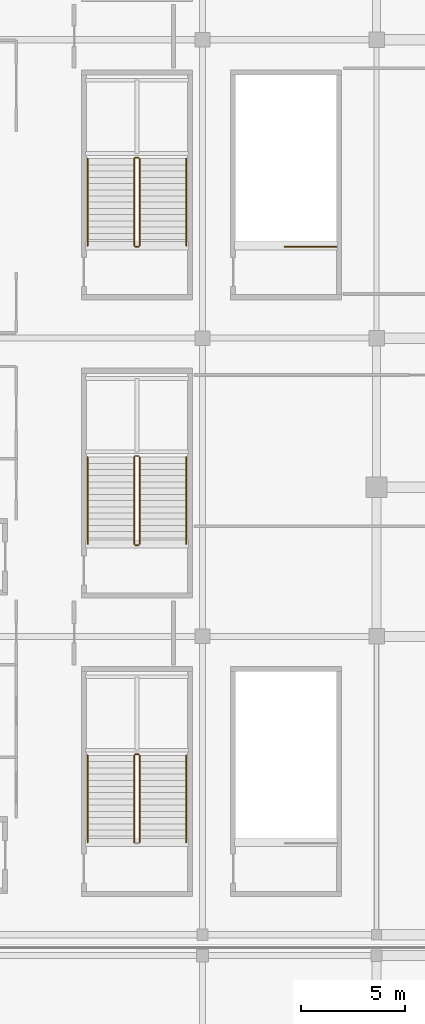
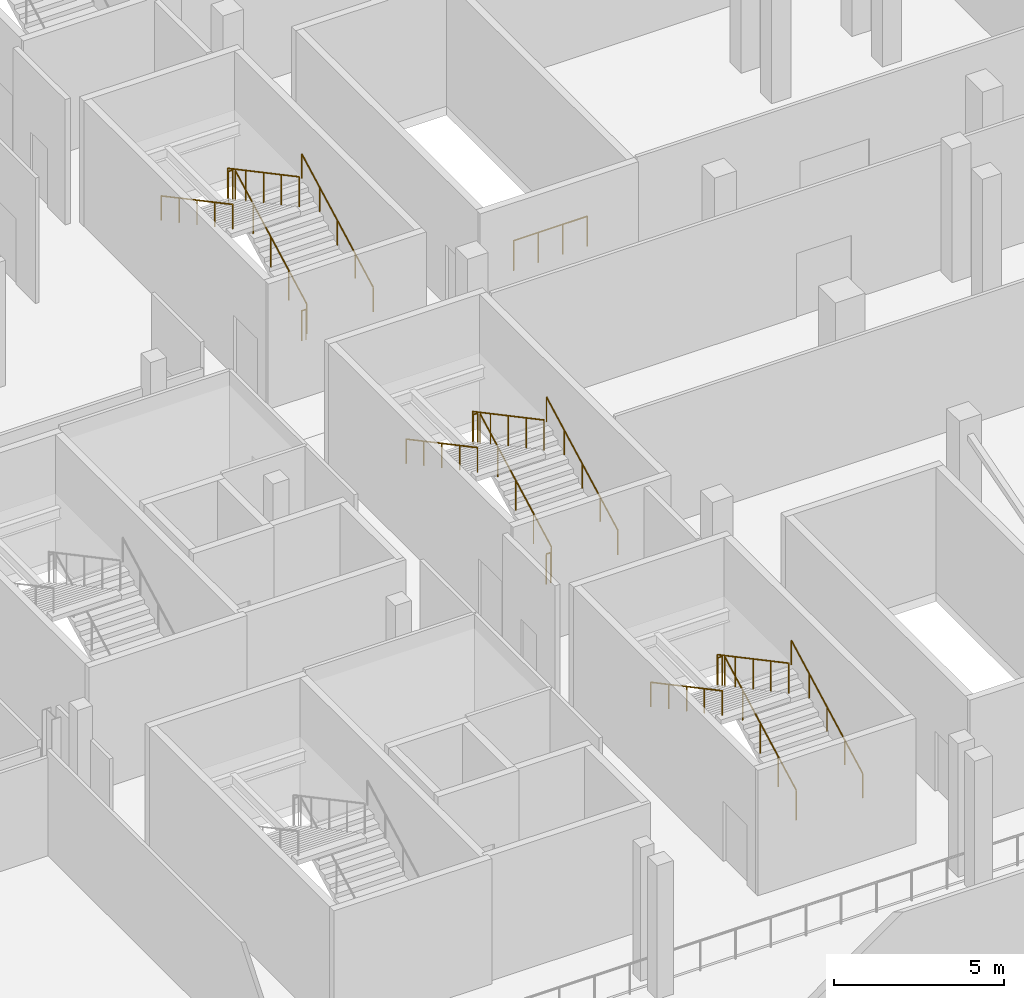
# One storey, part 99 of 129: 18 railings.
"""IFC4 building model written with IfcOpenShell, lengths in metres."""

from ifc_helpers import new_model, si_unit, direction, frame, origin, origin_2d, place, context, subcontext, project, spatial, circle, extrude, material, type_object, element, save


model = new_model("IFC4")

# Units and contexts
model_context = context("Model", 3, precision=1e-05, world=origin(), true_north=direction((0.0, 1.0)))
body_context = subcontext(model_context, "Body", "Model", "MODEL_VIEW")
ifc_project = project(units=[si_unit("LENGTHUNIT", "METRE"), si_unit("AREAUNIT", "SQUARE_METRE"), si_unit("VOLUMEUNIT", "CUBIC_METRE"), si_unit("PLANEANGLEUNIT", "RADIAN"), si_unit("MASSUNIT", "GRAM", prefix="KILO")], contexts=[model_context])

# Site, building, storey
site_placement = place(None, origin())
site = spatial("IfcSite", under=ifc_project, at=site_placement, CompositionType="ELEMENT")
building_placement = place(site_placement, origin())
building = spatial("IfcBuilding", under=site, at=building_placement, Name="Koshinbarg Plaza Stadium", CompositionType="ELEMENT")
storey_placement = place(building_placement, frame((0.0, 0.0, 5.39990234375)))
storey = spatial("IfcBuildingStorey", under=building, at=storey_placement, Name="L01", CompositionType="ELEMENT", Elevation=5.39990234375)

# Railings
ifc_material_1 = material(Name="Galvanized painted steel guardrail", Category="steel")
railing_type_1 = type_object("IfcRailingType", Name="RL-GUARD-1100", PredefinedType="GUARDRAIL", material=ifc_material_1)
railing_1_placement = place(storey_placement, frame((43.159912109375, 29.9599609375, 0.16015625)))
element("IfcRailing", 1, at=railing_1_placement, inside=storey, type_object=railing_type_1, Name="L01 VX01 stair guard 1", PredefinedType="GUARDRAIL", context=body_context, shape_type="SweptSolid", body=[
    extrude(circle(Radius=0.02392578125, at=origin_2d()), frame((0.0, 0.0, 1.076171875), z_axis=(0.0, 0.882351521365, 0.470590897432), x_axis=(-1.0, 0.0, 0.0)), (0.0, 0.0, 1.0), 4.760009765625),
    extrude(circle(Radius=0.02099609375, at=origin_2d()), origin(), (0.0, 0.0, 1.0), 1.052001953125),
    extrude(circle(Radius=0.02099609375, at=origin_2d()), frame((0.0, 1.050048828125, 0.56005859375)), (0.0, 0.0, 1.0), 1.052001953125),
    extrude(circle(Radius=0.02099609375, at=origin_2d()), frame((0.0, 2.10009765625, 1.1201171875)), (0.0, 0.0, 1.0), 1.052001953125),
    extrude(circle(Radius=0.02099609375, at=origin_2d()), frame((0.0, 3.14990234375, 1.679931640625)), (0.0, 0.0, 1.0), 1.052001953125),
    extrude(circle(Radius=0.02099609375, at=origin_2d()), frame((0.0, 4.199951171875, 2.239990234375)), (0.0, 0.0, 1.0), 1.052001953125),
])
railing_2_placement = place(storey_placement, frame((43.110107421875, 34.2099609375, 2.400146484375)))
element("IfcRailing", 2, at=railing_2_placement, inside=storey, type_object=railing_type_1, Name="L01 VX01 stair guard 2", PredefinedType="GUARDRAIL", context=body_context, shape_type="SweptSolid", body=[
    extrude(circle(Radius=0.02392578125, at=origin_2d()), frame((0.0, 0.0, 1.076171875), z_axis=(-1.0, 0.0, 0.0), x_axis=(0.0, -1.0, 0.0)), (0.0, 0.0, 1.0), 0.150146484375),
    extrude(circle(Radius=0.02099609375, at=origin_2d()), origin(), (0.0, 0.0, 1.0), 1.052001953125),
    extrude(circle(Radius=0.02099609375, at=origin_2d()), frame((-0.150146484375, 0.0, 0.0)), (0.0, 0.0, 1.0), 1.052001953125),
])
railing_3_placement = place(storey_placement, frame((42.909912109375, 34.159912109375, 2.56005859375)))
element("IfcRailing", 3, at=railing_3_placement, inside=storey, type_object=railing_type_1, Name="L01 VX01 stair guard 3", PredefinedType="GUARDRAIL", context=body_context, shape_type="SweptSolid", body=[
    extrude(circle(Radius=0.02392578125, at=origin_2d()), frame((0.0, 0.0, 1.076171875), z_axis=(0.0, -0.882351521365, 0.470590897432), x_axis=(1.0, 0.0, 0.0)), (0.0, 0.0, 1.0), 4.760009765625),
    extrude(circle(Radius=0.02099609375, at=origin_2d()), origin(), (0.0, 0.0, 1.0), 1.052001953125),
    extrude(circle(Radius=0.02099609375, at=origin_2d()), frame((0.0, -1.050048828125, 0.56005859375)), (0.0, 0.0, 1.0), 1.052001953125),
    extrude(circle(Radius=0.02099609375, at=origin_2d()), frame((0.0, -2.10009765625, 1.1201171875)), (0.0, 0.0, 1.0), 1.052001953125),
    extrude(circle(Radius=0.02099609375, at=origin_2d()), frame((0.0, -3.14990234375, 1.679931640625)), (0.0, 0.0, 1.0), 1.052001953125),
    extrude(circle(Radius=0.02099609375, at=origin_2d()), frame((0.0, -4.199951171875, 2.239990234375)), (0.0, 0.0, 1.0), 1.052001953125),
])
railing_4_placement = place(storey_placement, frame((43.159912109375, 44.360107421875, 0.16015625)))
element("IfcRailing", 4, at=railing_4_placement, inside=storey, type_object=railing_type_1, Name="L01 VX02 stair guard 1", PredefinedType="GUARDRAIL", context=body_context, shape_type="SweptSolid", body=[
    extrude(circle(Radius=0.02392578125, at=origin_2d()), frame((0.0, 0.0, 1.076171875), z_axis=(0.0, 0.882351521365, 0.470590897432), x_axis=(-1.0, 0.0, 0.0)), (0.0, 0.0, 1.0), 4.760009765625),
    extrude(circle(Radius=0.02099609375, at=origin_2d()), origin(), (0.0, 0.0, 1.0), 1.052001953125),
    extrude(circle(Radius=0.02099609375, at=origin_2d()), frame((0.0, 1.050048828125, 0.56005859375)), (0.0, 0.0, 1.0), 1.052001953125),
    extrude(circle(Radius=0.02099609375, at=origin_2d()), frame((0.0, 2.10009765625, 1.1201171875)), (0.0, 0.0, 1.0), 1.052001953125),
    extrude(circle(Radius=0.02099609375, at=origin_2d()), frame((0.0, 3.14990234375, 1.679931640625)), (0.0, 0.0, 1.0), 1.052001953125),
    extrude(circle(Radius=0.02099609375, at=origin_2d()), frame((0.0, 4.199951171875, 2.239990234375)), (0.0, 0.0, 1.0), 1.052001953125),
])
railing_5_placement = place(storey_placement, frame((43.110107421875, 48.610107421875, 2.400146484375)))
element("IfcRailing", 5, at=railing_5_placement, inside=storey, type_object=railing_type_1, Name="L01 VX02 stair guard 2", PredefinedType="GUARDRAIL", context=body_context, shape_type="SweptSolid", body=[
    extrude(circle(Radius=0.02392578125, at=origin_2d()), frame((0.0, 0.0, 1.076171875), z_axis=(-1.0, 0.0, 0.0), x_axis=(0.0, -1.0, 0.0)), (0.0, 0.0, 1.0), 0.150146484375),
    extrude(circle(Radius=0.02099609375, at=origin_2d()), origin(), (0.0, 0.0, 1.0), 1.052001953125),
    extrude(circle(Radius=0.02099609375, at=origin_2d()), frame((-0.150146484375, 0.0, 0.0)), (0.0, 0.0, 1.0), 1.052001953125),
])
railing_6_placement = place(storey_placement, frame((42.909912109375, 48.56005859375, 2.56005859375)))
element("IfcRailing", 6, at=railing_6_placement, inside=storey, type_object=railing_type_1, Name="L01 VX02 stair guard 3", PredefinedType="GUARDRAIL", context=body_context, shape_type="SweptSolid", body=[
    extrude(circle(Radius=0.02392578125, at=origin_2d()), frame((0.0, 0.0, 1.076171875), z_axis=(0.0, -0.882351521365, 0.470590897432), x_axis=(1.0, 0.0, 0.0)), (0.0, 0.0, 1.0), 4.760009765625),
    extrude(circle(Radius=0.02099609375, at=origin_2d()), origin(), (0.0, 0.0, 1.0), 1.052001953125),
    extrude(circle(Radius=0.02099609375, at=origin_2d()), frame((0.0, -1.050048828125, 0.56005859375)), (0.0, 0.0, 1.0), 1.052001953125),
    extrude(circle(Radius=0.02099609375, at=origin_2d()), frame((0.0, -2.10009765625, 1.1201171875)), (0.0, 0.0, 1.0), 1.052001953125),
    extrude(circle(Radius=0.02099609375, at=origin_2d()), frame((0.0, -3.14990234375, 1.679931640625)), (0.0, 0.0, 1.0), 1.052001953125),
    extrude(circle(Radius=0.02099609375, at=origin_2d()), frame((0.0, -4.199951171875, 2.239990234375)), (0.0, 0.0, 1.0), 1.052001953125),
])
railing_7_placement = place(storey_placement, frame((43.110107421875, 44.31005859375, 0.0)))
element("IfcRailing", 7, at=railing_7_placement, inside=storey, type_object=railing_type_1, Name="L01 VX02 stair guard 4", PredefinedType="GUARDRAIL", context=body_context, shape_type="SweptSolid", body=[
    extrude(circle(Radius=0.02392578125, at=origin_2d()), frame((0.0, 0.0, 1.076171875), z_axis=(-1.0, 0.0, 0.0), x_axis=(0.0, -1.0, 0.0)), (0.0, 0.0, 1.0), 0.150146484375),
    extrude(circle(Radius=0.02099609375, at=origin_2d()), origin(), (0.0, 0.0, 1.0), 1.052001953125),
    extrude(circle(Radius=0.02099609375, at=origin_2d()), frame((-0.150146484375, 0.0, 0.0)), (0.0, 0.0, 1.0), 1.052001953125),
])
railing_8_placement = place(storey_placement, frame((43.159912109375, 58.760009765625, 0.16015625)))
element("IfcRailing", 8, at=railing_8_placement, inside=storey, type_object=railing_type_1, Name="L01 VX03 stair guard 1", PredefinedType="GUARDRAIL", context=body_context, shape_type="SweptSolid", body=[
    extrude(circle(Radius=0.02392578125, at=origin_2d()), frame((0.0, 0.0, 1.076171875), z_axis=(0.0, 0.882351521365, 0.470590897432), x_axis=(-1.0, 0.0, 0.0)), (0.0, 0.0, 1.0), 4.760009765625),
    extrude(circle(Radius=0.02099609375, at=origin_2d()), origin(), (0.0, 0.0, 1.0), 1.052001953125),
    extrude(circle(Radius=0.02099609375, at=origin_2d()), frame((0.0, 1.050048828125, 0.56005859375)), (0.0, 0.0, 1.0), 1.052001953125),
    extrude(circle(Radius=0.02099609375, at=origin_2d()), frame((0.0, 2.10009765625, 1.1201171875)), (0.0, 0.0, 1.0), 1.052001953125),
    extrude(circle(Radius=0.02099609375, at=origin_2d()), frame((0.0, 3.14990234375, 1.679931640625)), (0.0, 0.0, 1.0), 1.052001953125),
    extrude(circle(Radius=0.02099609375, at=origin_2d()), frame((0.0, 4.199951171875, 2.239990234375)), (0.0, 0.0, 1.0), 1.052001953125),
])
railing_9_placement = place(storey_placement, frame((43.110107421875, 63.010009765625, 2.400146484375)))
element("IfcRailing", 9, at=railing_9_placement, inside=storey, type_object=railing_type_1, Name="L01 VX03 stair guard 2", PredefinedType="GUARDRAIL", context=body_context, shape_type="SweptSolid", body=[
    extrude(circle(Radius=0.02392578125, at=origin_2d()), frame((0.0, 0.0, 1.076171875), z_axis=(-1.0, 0.0, 0.0), x_axis=(0.0, -1.0, 0.0)), (0.0, 0.0, 1.0), 0.150146484375),
    extrude(circle(Radius=0.02099609375, at=origin_2d()), origin(), (0.0, 0.0, 1.0), 1.052001953125),
    extrude(circle(Radius=0.02099609375, at=origin_2d()), frame((-0.150146484375, 0.0, 0.0)), (0.0, 0.0, 1.0), 1.052001953125),
])
railing_10_placement = place(storey_placement, frame((42.909912109375, 62.9599609375, 2.56005859375)))
element("IfcRailing", 10, at=railing_10_placement, inside=storey, type_object=railing_type_1, Name="L01 VX03 stair guard 3", PredefinedType="GUARDRAIL", context=body_context, shape_type="SweptSolid", body=[
    extrude(circle(Radius=0.02392578125, at=origin_2d()), frame((0.0, 0.0, 1.076171875), z_axis=(0.0, -0.882351521365, 0.470590897432), x_axis=(1.0, 0.0, 0.0)), (0.0, 0.0, 1.0), 4.760009765625),
    extrude(circle(Radius=0.02099609375, at=origin_2d()), origin(), (0.0, 0.0, 1.0), 1.052001953125),
    extrude(circle(Radius=0.02099609375, at=origin_2d()), frame((0.0, -1.050048828125, 0.56005859375)), (0.0, 0.0, 1.0), 1.052001953125),
    extrude(circle(Radius=0.02099609375, at=origin_2d()), frame((0.0, -2.10009765625, 1.1201171875)), (0.0, 0.0, 1.0), 1.052001953125),
    extrude(circle(Radius=0.02099609375, at=origin_2d()), frame((0.0, -3.14990234375, 1.679931640625)), (0.0, 0.0, 1.0), 1.052001953125),
    extrude(circle(Radius=0.02099609375, at=origin_2d()), frame((0.0, -4.199951171875, 2.239990234375)), (0.0, 0.0, 1.0), 1.052001953125),
])
railing_11_placement = place(storey_placement, frame((43.110107421875, 58.7099609375, 0.0)))
element("IfcRailing", 11, at=railing_11_placement, inside=storey, type_object=railing_type_1, Name="L01 VX03 stair guard 4", PredefinedType="GUARDRAIL", context=body_context, shape_type="SweptSolid", body=[
    extrude(circle(Radius=0.02392578125, at=origin_2d()), frame((0.0, 0.0, 1.076171875), z_axis=(-1.0, 0.0, 0.0), x_axis=(0.0, -1.0, 0.0)), (0.0, 0.0, 1.0), 0.150146484375),
    extrude(circle(Radius=0.02099609375, at=origin_2d()), origin(), (0.0, 0.0, 1.0), 1.052001953125),
    extrude(circle(Radius=0.02099609375, at=origin_2d()), frame((-0.150146484375, 0.0, 0.0)), (0.0, 0.0, 1.0), 1.052001953125),
])
railing_12_placement = place(storey_placement, frame((52.669921875, 58.7099609375, 0.0)))
element("IfcRailing", 12, at=railing_12_placement, inside=storey, type_object=railing_type_1, Name="L01 VL02 top stairwell guard 1", PredefinedType="GUARDRAIL", context=body_context, shape_type="SweptSolid", body=[
    extrude(circle(Radius=0.02392578125, at=origin_2d()), frame((0.0, 0.0, 1.076171875), z_axis=(-1.0, 0.0, 0.0), x_axis=(0.0, -1.0, 0.0)), (0.0, 0.0, 1.0), 2.510009765625),
    extrude(circle(Radius=0.02099609375, at=origin_2d()), origin(), (0.0, 0.0, 1.0), 1.052001953125),
    extrude(circle(Radius=0.02099609375, at=origin_2d()), frame((-0.836669921875, 0.0, 0.0)), (0.0, 0.0, 1.0), 1.052001953125),
    extrude(circle(Radius=0.02099609375, at=origin_2d()), frame((-1.67333984375, 0.0, 0.0)), (0.0, 0.0, 1.0), 1.052001953125),
    extrude(circle(Radius=0.02099609375, at=origin_2d()), frame((-2.510009765625, 0.0, 0.0)), (0.0, 0.0, 1.0), 1.052001953125),
])
ifc_material_2 = material(Name="Brushed stainless steel handrail", Category="steel")
railing_type_2 = type_object("IfcRailingType", Name="RL-HAND-900", PredefinedType="HANDRAIL", material=ifc_material_2)
railing_13_placement = place(storey_placement, frame((45.419921875, 29.9599609375, 0.16015625)))
element("IfcRailing", 13, at=railing_13_placement, inside=storey, type_object=railing_type_2, Name="L01 VX01 stair handrail 1", PredefinedType="HANDRAIL", context=body_context, shape_type="SweptSolid", body=[
    extrude(circle(Radius=0.02392578125, at=origin_2d()), frame((0.0, 0.0, 0.8759765625), z_axis=(0.0, 0.882351521365, 0.470590897432), x_axis=(-1.0, 0.0, 0.0)), (0.0, 0.0, 1.0), 4.760009765625),
    extrude(circle(Radius=0.02099609375, at=origin_2d()), origin(), (0.0, 0.0, 1.0), 0.851806640625),
    extrude(circle(Radius=0.02099609375, at=origin_2d()), frame((0.0, 1.050048828125, 0.56005859375)), (0.0, 0.0, 1.0), 0.851806640625),
    extrude(circle(Radius=0.02099609375, at=origin_2d()), frame((0.0, 2.10009765625, 1.1201171875)), (0.0, 0.0, 1.0), 0.851806640625),
    extrude(circle(Radius=0.02099609375, at=origin_2d()), frame((0.0, 3.14990234375, 1.679931640625)), (0.0, 0.0, 1.0), 0.851806640625),
    extrude(circle(Radius=0.02099609375, at=origin_2d()), frame((0.0, 4.199951171875, 2.239990234375)), (0.0, 0.0, 1.0), 0.851806640625),
])
railing_14_placement = place(storey_placement, frame((40.64990234375, 34.159912109375, 2.56005859375)))
element("IfcRailing", 14, at=railing_14_placement, inside=storey, type_object=railing_type_2, Name="L01 VX01 stair handrail 2", PredefinedType="HANDRAIL", context=body_context, shape_type="SweptSolid", body=[
    extrude(circle(Radius=0.02392578125, at=origin_2d()), frame((0.0, 0.0, 0.8759765625), z_axis=(0.0, -0.882351521365, 0.470590897432), x_axis=(1.0, 0.0, 0.0)), (0.0, 0.0, 1.0), 4.760009765625),
    extrude(circle(Radius=0.02099609375, at=origin_2d()), origin(), (0.0, 0.0, 1.0), 0.851806640625),
    extrude(circle(Radius=0.02099609375, at=origin_2d()), frame((0.0, -1.050048828125, 0.56005859375)), (0.0, 0.0, 1.0), 0.851806640625),
    extrude(circle(Radius=0.02099609375, at=origin_2d()), frame((0.0, -2.10009765625, 1.1201171875)), (0.0, 0.0, 1.0), 0.851806640625),
    extrude(circle(Radius=0.02099609375, at=origin_2d()), frame((0.0, -3.14990234375, 1.679931640625)), (0.0, 0.0, 1.0), 0.851806640625),
    extrude(circle(Radius=0.02099609375, at=origin_2d()), frame((0.0, -4.199951171875, 2.239990234375)), (0.0, 0.0, 1.0), 0.851806640625),
])
railing_15_placement = place(storey_placement, frame((45.419921875, 44.360107421875, 0.16015625)))
element("IfcRailing", 15, at=railing_15_placement, inside=storey, type_object=railing_type_2, Name="L01 VX02 stair handrail 1", PredefinedType="HANDRAIL", context=body_context, shape_type="SweptSolid", body=[
    extrude(circle(Radius=0.02392578125, at=origin_2d()), frame((0.0, 0.0, 0.8759765625), z_axis=(0.0, 0.882351521365, 0.470590897432), x_axis=(-1.0, 0.0, 0.0)), (0.0, 0.0, 1.0), 4.760009765625),
    extrude(circle(Radius=0.02099609375, at=origin_2d()), origin(), (0.0, 0.0, 1.0), 0.851806640625),
    extrude(circle(Radius=0.02099609375, at=origin_2d()), frame((0.0, 1.050048828125, 0.56005859375)), (0.0, 0.0, 1.0), 0.851806640625),
    extrude(circle(Radius=0.02099609375, at=origin_2d()), frame((0.0, 2.10009765625, 1.1201171875)), (0.0, 0.0, 1.0), 0.851806640625),
    extrude(circle(Radius=0.02099609375, at=origin_2d()), frame((0.0, 3.14990234375, 1.679931640625)), (0.0, 0.0, 1.0), 0.851806640625),
    extrude(circle(Radius=0.02099609375, at=origin_2d()), frame((0.0, 4.199951171875, 2.239990234375)), (0.0, 0.0, 1.0), 0.851806640625),
])
railing_16_placement = place(storey_placement, frame((40.64990234375, 48.56005859375, 2.56005859375)))
element("IfcRailing", 16, at=railing_16_placement, inside=storey, type_object=railing_type_2, Name="L01 VX02 stair handrail 2", PredefinedType="HANDRAIL", context=body_context, shape_type="SweptSolid", body=[
    extrude(circle(Radius=0.02392578125, at=origin_2d()), frame((0.0, 0.0, 0.8759765625), z_axis=(0.0, -0.882351521365, 0.470590897432), x_axis=(1.0, 0.0, 0.0)), (0.0, 0.0, 1.0), 4.760009765625),
    extrude(circle(Radius=0.02099609375, at=origin_2d()), origin(), (0.0, 0.0, 1.0), 0.851806640625),
    extrude(circle(Radius=0.02099609375, at=origin_2d()), frame((0.0, -1.050048828125, 0.56005859375)), (0.0, 0.0, 1.0), 0.851806640625),
    extrude(circle(Radius=0.02099609375, at=origin_2d()), frame((0.0, -2.10009765625, 1.1201171875)), (0.0, 0.0, 1.0), 0.851806640625),
    extrude(circle(Radius=0.02099609375, at=origin_2d()), frame((0.0, -3.14990234375, 1.679931640625)), (0.0, 0.0, 1.0), 0.851806640625),
    extrude(circle(Radius=0.02099609375, at=origin_2d()), frame((0.0, -4.199951171875, 2.239990234375)), (0.0, 0.0, 1.0), 0.851806640625),
])
railing_17_placement = place(storey_placement, frame((45.419921875, 58.760009765625, 0.16015625)))
element("IfcRailing", 17, at=railing_17_placement, inside=storey, type_object=railing_type_2, Name="L01 VX03 stair handrail 1", PredefinedType="HANDRAIL", context=body_context, shape_type="SweptSolid", body=[
    extrude(circle(Radius=0.02392578125, at=origin_2d()), frame((0.0, 0.0, 0.8759765625), z_axis=(0.0, 0.882351521365, 0.470590897432), x_axis=(-1.0, 0.0, 0.0)), (0.0, 0.0, 1.0), 4.760009765625),
    extrude(circle(Radius=0.02099609375, at=origin_2d()), origin(), (0.0, 0.0, 1.0), 0.851806640625),
    extrude(circle(Radius=0.02099609375, at=origin_2d()), frame((0.0, 1.050048828125, 0.56005859375)), (0.0, 0.0, 1.0), 0.851806640625),
    extrude(circle(Radius=0.02099609375, at=origin_2d()), frame((0.0, 2.10009765625, 1.1201171875)), (0.0, 0.0, 1.0), 0.851806640625),
    extrude(circle(Radius=0.02099609375, at=origin_2d()), frame((0.0, 3.14990234375, 1.679931640625)), (0.0, 0.0, 1.0), 0.851806640625),
    extrude(circle(Radius=0.02099609375, at=origin_2d()), frame((0.0, 4.199951171875, 2.239990234375)), (0.0, 0.0, 1.0), 0.851806640625),
])
railing_18_placement = place(storey_placement, frame((40.64990234375, 62.9599609375, 2.56005859375)))
element("IfcRailing", 18, at=railing_18_placement, inside=storey, type_object=railing_type_2, Name="L01 VX03 stair handrail 2", PredefinedType="HANDRAIL", context=body_context, shape_type="SweptSolid", body=[
    extrude(circle(Radius=0.02392578125, at=origin_2d()), frame((0.0, 0.0, 0.8759765625), z_axis=(0.0, -0.882351521365, 0.470590897432), x_axis=(1.0, 0.0, 0.0)), (0.0, 0.0, 1.0), 4.760009765625),
    extrude(circle(Radius=0.02099609375, at=origin_2d()), origin(), (0.0, 0.0, 1.0), 0.851806640625),
    extrude(circle(Radius=0.02099609375, at=origin_2d()), frame((0.0, -1.050048828125, 0.56005859375)), (0.0, 0.0, 1.0), 0.851806640625),
    extrude(circle(Radius=0.02099609375, at=origin_2d()), frame((0.0, -2.10009765625, 1.1201171875)), (0.0, 0.0, 1.0), 0.851806640625),
    extrude(circle(Radius=0.02099609375, at=origin_2d()), frame((0.0, -3.14990234375, 1.679931640625)), (0.0, 0.0, 1.0), 0.851806640625),
    extrude(circle(Radius=0.02099609375, at=origin_2d()), frame((0.0, -4.199951171875, 2.239990234375)), (0.0, 0.0, 1.0), 0.851806640625),
])

save(model, "model.ifc")
